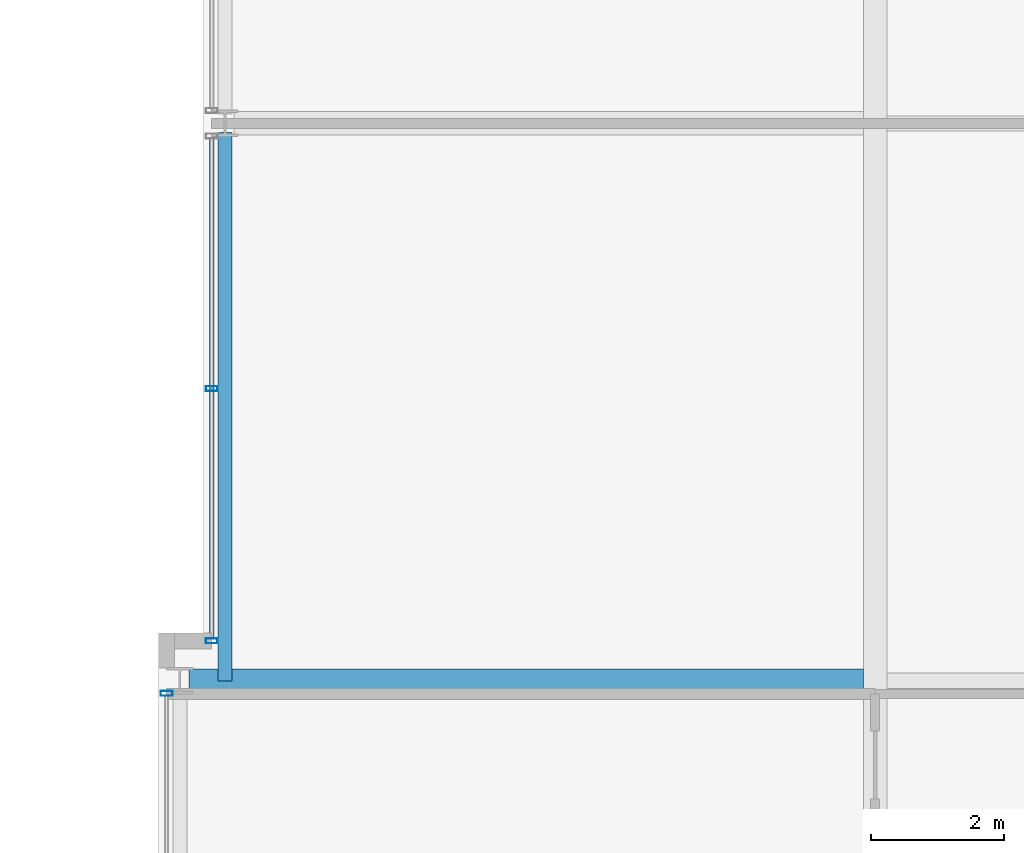
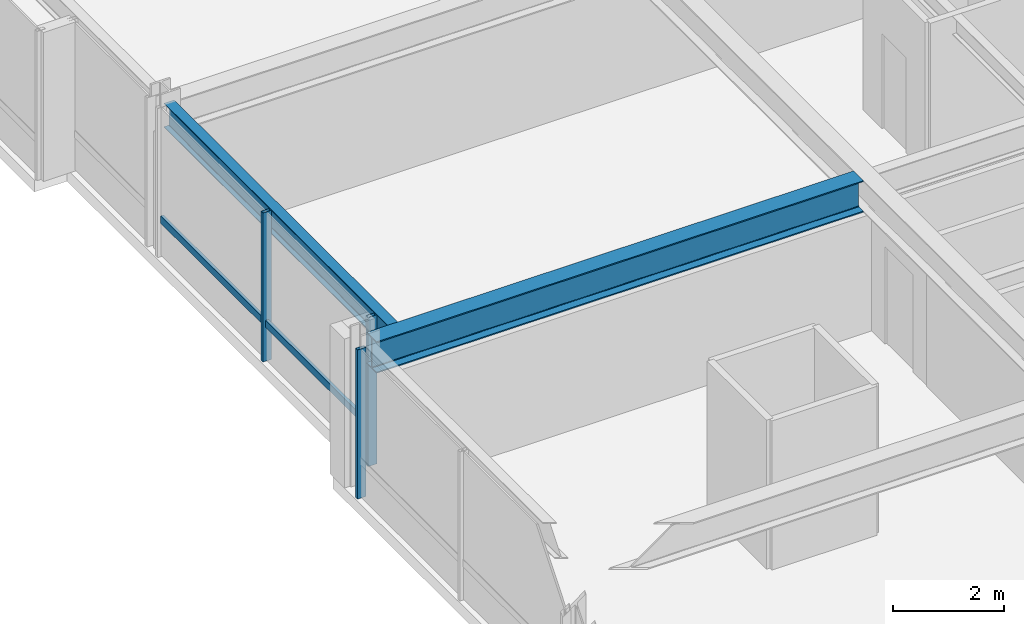
# One storey, part 7 of 31: 4 members, 2 beams, 2 elements without a shape of their own.
"""IFC4 building model written with IfcOpenShell, lengths in metres."""

from ifc_helpers import new_model, si_unit, direction, frame, origin, origin_2d, place, context, subcontext, project, spatial, hollow_rectangle, i_section, extrude, material, layer, layer_set, material_profile, profile_set, type_object, element, aggregate, save


model = new_model("IFC4")

# Units and contexts
model_context = context("Model", 3, precision=1e-05, world=origin(), true_north=direction((0.0, 1.0)))
body_context = subcontext(model_context, "Body", "Model", "MODEL_VIEW")
ifc_project = project(units=[si_unit("LENGTHUNIT", "METRE"), si_unit("AREAUNIT", "SQUARE_METRE"), si_unit("VOLUMEUNIT", "CUBIC_METRE"), si_unit("PLANEANGLEUNIT", "RADIAN"), si_unit("MASSUNIT", "GRAM", prefix="KILO")], contexts=[model_context])

# Site, building, storey
site_placement = place(None, origin())
site = spatial("IfcSite", under=ifc_project, at=site_placement, CompositionType="ELEMENT")
building_placement = place(site_placement, origin())
building = spatial("IfcBuilding", under=site, at=building_placement, Name="Drelvath Grand Hotel", CompositionType="ELEMENT")
storey_placement = place(building_placement, frame((0.0, 0.0, 185.89990234375)))
storey = spatial("IfcBuildingStorey", under=building, at=storey_placement, Name="L48", CompositionType="ELEMENT", Elevation=185.89990234375)

# Curtain wall, member
ifc_material_1 = material(Name="Brushed Pale-Silver Anodised Aluminium Frame", Category="aluminium")
ifc_layer = layer(ifc_material_1, 0.199951171875)
ifc_layer_set = layer_set([ifc_layer], Name="Brushed Pale-Silver Anodised Aluminium Frame")
curtain_wall_type = type_object("IfcCurtainWallType", Name="Stick Curtain Wall CW-04 Brushed Silver Upper-Mid", PredefinedType="NOTDEFINED", material=ifc_layer_set)
curtain_wall_1_placement = place(storey_placement, origin())
curtain_wall_1 = element("IfcCurtainWall", 1, at=curtain_wall_1_placement, inside=storey, type_object=curtain_wall_type, Name="L48 CW-04 Curtain Wall CW04-L48-WM1", PredefinedType="NOTDEFINED")
ifc_material_profile_1 = material_profile(ifc_material_1, hollow_rectangle(XDim=0.06494140625, YDim=0.159912109375, WallThickness=0.00390625, at=origin_2d()), Name="HSS160X65X4")
ifc_profile_set_1 = profile_set([ifc_material_profile_1], Name="Brushed Pale-Silver Anodised Aluminium Frame")
member_type_1 = type_object("IfcMemberType", Name="Curtain Wall Horizontal Transom CW-04 HSS160X65X4", PredefinedType="USERDEFINED", material=ifc_profile_set_1)
member_1_placement = place(storey_placement, frame((-26.199951171875, 19.239990234375, 0.822509765625), z_axis=(0.0, 1.0, 0.0), x_axis=(-1.0, 0.0, 0.0)))
member_1 = element("IfcMember", 2, at=member_1_placement, type_object=member_type_1, Name="CW04-L48-WM1 Sill Transom", ObjectType="TRANSOM", PredefinedType="USERDEFINED", context=body_context, shape_type="SweptSolid", body=[
    extrude(hollow_rectangle(XDim=0.06494140625, YDim=0.159912109375, WallThickness=0.00390625, at=origin_2d()), origin(), (0.0, 0.0, 1.0), 7.5283203125),
])

curtain_wall_2_placement = place(storey_placement, origin())
curtain_wall_2 = element("IfcCurtainWall", 3, at=curtain_wall_2_placement, inside=storey, type_object=curtain_wall_type, Name="L48 CW-04 Curtain Wall CW04-L48-WS2", PredefinedType="NOTDEFINED")
ifc_material_profile_2 = material_profile(ifc_material_1, hollow_rectangle(XDim=0.074951171875, YDim=0.179931640625, WallThickness=0.0048828125, at=origin_2d()), Name="HSS180X75X5")
ifc_profile_set_2 = profile_set([ifc_material_profile_2], Name="Brushed Pale-Silver Anodised Aluminium Frame")
member_type_2 = type_object("IfcMemberType", Name="Curtain Wall Vertical Mullion CW-04 HSS180X75X5", PredefinedType="MULLION", material=ifc_profile_set_2)
member_2_placement = place(storey_placement, frame((-26.8798828125, 18.408447265625, 0.0), z_axis=(0.0, 0.0, 1.0), x_axis=(0.0, 1.0, 0.0)))
member_2 = element("IfcMember", 4, at=member_2_placement, type_object=member_type_2, Name="CW04-L48-WS2 Mullion 3", PredefinedType="MULLION", context=body_context, shape_type="SweptSolid", body=[
    extrude(hollow_rectangle(XDim=0.074951171875, YDim=0.179931640625, WallThickness=0.0048828125, at=origin_2d()), origin(), (0.0, 0.0, 1.0), 3.2900390625),
])
aggregate(curtain_wall_2, [member_2])

# Member
member_3_placement = place(storey_placement, frame((-26.199951171875, 19.199951171875, 0.0), z_axis=(0.0, 0.0, 1.0), x_axis=(0.0, 1.0, 0.0)))
member_3 = element("IfcMember", 5, at=member_3_placement, type_object=member_type_2, Name="CW04-L48-WM1 Mullion 1", PredefinedType="MULLION", context=body_context, shape_type="SweptSolid", body=[
    extrude(hollow_rectangle(XDim=0.074951171875, YDim=0.179931640625, WallThickness=0.0048828125, at=origin_2d()), origin(), (0.0, 0.0, 1.0), 3.2900390625),
])

member_4_placement = place(storey_placement, frame((-26.199951171875, 23.004150390625, 0.0), z_axis=(0.0, 0.0, 1.0), x_axis=(0.0, 1.0, 0.0)))
member_4 = element("IfcMember", 6, at=member_4_placement, type_object=member_type_2, Name="CW04-L48-WM1 Mullion 2", PredefinedType="MULLION", context=body_context, shape_type="SweptSolid", body=[
    extrude(hollow_rectangle(XDim=0.074951171875, YDim=0.179931640625, WallThickness=0.0048828125, at=origin_2d()), origin(), (0.0, 0.0, 1.0), 3.2900390625),
])

aggregate(curtain_wall_1, [member_3, member_4, member_1])

# Beams
ifc_material_2 = material(Name="Steel ASTM A992 Gr 50", Category="steel")
ifc_material_profile_3 = material_profile(ifc_material_2, i_section(OverallWidth=0.210205078125, OverallDepth=0.53662109375, WebThickness=0.010986328125, FlangeThickness=0.017333984375, FilletRadius=0.01806640625, at=origin_2d()), Name="W21X68")
ifc_profile_set_3 = profile_set([ifc_material_profile_3], Name="Steel ASTM A992 Gr 50")
beam_type_1 = type_object("IfcBeamType", Name="Perimeter Spandrel Beam W21X68", PredefinedType="SPANDREL", material=ifc_profile_set_3)
beam_1_placement = place(storey_placement, frame((-26.0, 18.60009765625, 3.021728515625), z_axis=(0.0, 1.0, 0.0), x_axis=(-1.0, 0.0, 0.0)))
element("IfcBeam", 7, at=beam_1_placement, inside=storey, type_object=beam_type_1, Name="L48 Spandrel West Mid S", PredefinedType="SPANDREL", context=body_context, shape_type="SweptSolid", body=[
    extrude(i_section(OverallWidth=0.210205078125, OverallDepth=0.53662109375, WebThickness=0.010986328125, FlangeThickness=0.017333984375, FilletRadius=0.01806640625, at=origin_2d()), origin(), (0.0, 0.0, 1.0), 8.260009765625),
])
ifc_material_profile_4 = material_profile(ifc_material_2, i_section(OverallWidth=0.354736328125, OverallDepth=0.695556640625, WebThickness=0.015380859375, FlangeThickness=0.025146484375, FilletRadius=0.02392578125, at=origin_2d()), Name="W27X146")
ifc_profile_set_4 = profile_set([ifc_material_profile_4], Name="Steel ASTM A992 Gr 50")
beam_type_2 = type_object("IfcBeamType", Name="Primary Floor Girder W27X146", PredefinedType="BEAM", material=ifc_profile_set_4)
beam_2_placement = place(storey_placement, frame((-26.5400390625, 18.60009765625, 2.9423828125), z_axis=(1.0, 0.0, 0.0), x_axis=(0.0, 1.0, 0.0)))
element("IfcBeam", 8, at=beam_2_placement, inside=storey, type_object=beam_type_2, Name="L48 West Wing Girder D", PredefinedType="BEAM", context=body_context, shape_type="SweptSolid", body=[
    extrude(i_section(OverallWidth=0.354736328125, OverallDepth=0.695556640625, WebThickness=0.015380859375, FlangeThickness=0.025146484375, FilletRadius=0.02392578125, at=origin_2d()), origin(), (0.0, 0.0, 1.0), 10.16259765625),
])

save(model, "model.ifc")
